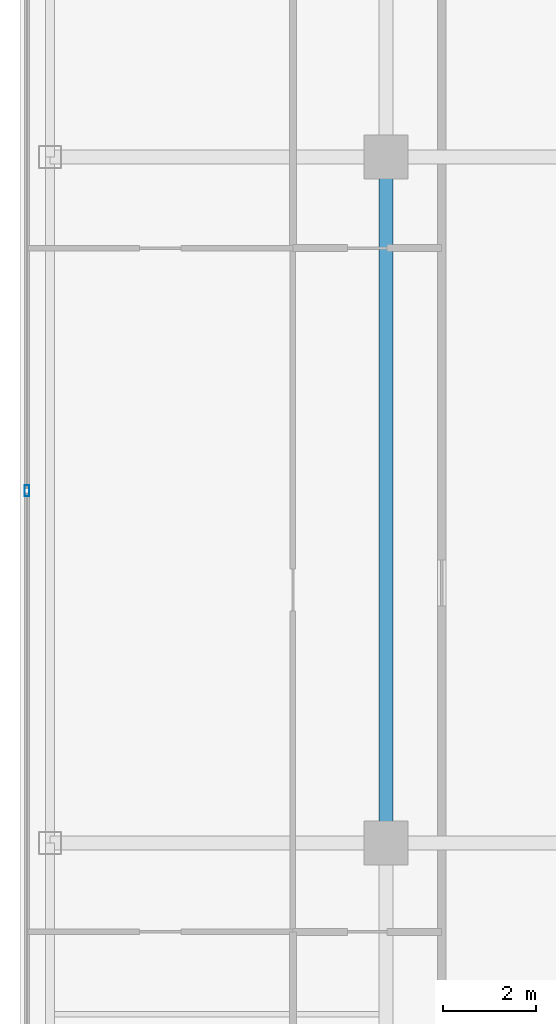
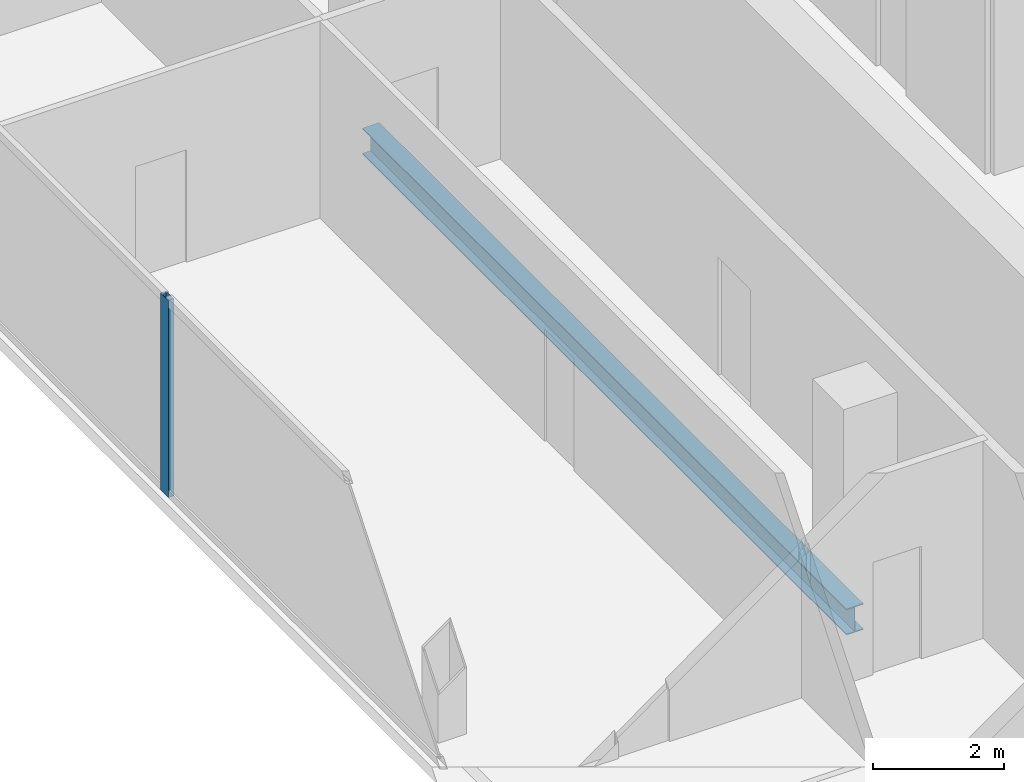
# One storey, part 6 of 24: 1 beam, 1 member, 1 element without a shape of its own.
"""IFC4 building model written with IfcOpenShell, lengths in metres."""

from ifc_helpers import new_model, si_unit, direction, frame, origin, origin_2d, place, context, subcontext, project, spatial, hollow_rectangle, i_section, extrude, material, layer, layer_set, material_profile, profile_set, type_object, element, aggregate, save


model = new_model("IFC4")

# Units and contexts
model_context = context("Model", 3, precision=1e-05, world=origin(), true_north=direction((0.0, 1.0)))
body_context = subcontext(model_context, "Body", "Model", "MODEL_VIEW")
ifc_project = project(units=[si_unit("LENGTHUNIT", "METRE"), si_unit("AREAUNIT", "SQUARE_METRE"), si_unit("VOLUMEUNIT", "CUBIC_METRE"), si_unit("PLANEANGLEUNIT", "RADIAN"), si_unit("MASSUNIT", "GRAM", prefix="KILO")], contexts=[model_context])

# Site, building, storey
site_placement = place(None, origin())
site = spatial("IfcSite", under=ifc_project, at=site_placement, CompositionType="ELEMENT")
building_placement = place(site_placement, origin())
building = spatial("IfcBuilding", under=site, at=building_placement, Name="Khorvyn Point Tower", CompositionType="ELEMENT")
storey_placement = place(building_placement, frame((0.0, 0.0, 301.5)))
storey = spatial("IfcBuildingStorey", under=building, at=storey_placement, Name="L74", CompositionType="ELEMENT", Elevation=301.5)

# Curtain wall, member
ifc_material_1 = material(Name="Anodised aluminium 6063-T6 and laminated Low-E glass", Category="aluminium")
ifc_layer = layer(ifc_material_1, 0.18994140625)
ifc_layer_set = layer_set([ifc_layer], Name="Stick-Built High-Wind Curtain Wall CW-SYS-04")
curtain_wall_type = type_object("IfcCurtainWallType", Name="Stick-Built High-Wind Curtain Wall CW-SYS-04", PredefinedType="NOTDEFINED", material=ifc_layer_set)
curtain_wall_placement = place(storey_placement, origin())
curtain_wall = element("IfcCurtainWall", 1, at=curtain_wall_placement, inside=storey, type_object=curtain_wall_type, Name="Curtain Wall", PredefinedType="NOTDEFINED")
ifc_material_2 = material(Name="Anodised aluminium 6063-T6", Category="aluminium")
ifc_material_profile_1 = material_profile(ifc_material_2, hollow_rectangle(XDim=0.10009765625, YDim=0.239990234375, WallThickness=0.0048828125, at=origin_2d()))
ifc_profile_set_1 = profile_set([ifc_material_profile_1], Name="Anodised aluminium 6063-T6 ALU-MUL-100x240")
member_type = type_object("IfcMemberType", Name="Anodised Aluminium 6063-T6 Mullion ALU-MUL-100x240", PredefinedType="MULLION", material=ifc_profile_set_1)
member_placement = place(storey_placement, frame((-22.550048828125, 0.199951171875, 0.0), z_axis=(0.0, 0.0, 1.0), x_axis=(-1.0, 0.0, 0.0)))
member = element("IfcMember", 2, at=member_placement, type_object=member_type, Name="Transom", PredefinedType="MULLION", context=body_context, shape_type="SweptSolid", body=[
    extrude(hollow_rectangle(XDim=0.10009765625, YDim=0.239990234375, WallThickness=0.0048828125, at=origin_2d()), origin(), (0.0, 0.0, 1.0), 3.679931640625),
])
aggregate(curtain_wall, [member])

# Beam
ifc_material_3 = material(Name="Steel S355", Category="steel")
ifc_material_profile_2 = material_profile(ifc_material_3, i_section(OverallWidth=0.300048828125, OverallDepth=0.488037109375, WebThickness=0.010986328125, FlangeThickness=0.01806640625, at=origin_2d()))
ifc_profile_set_2 = profile_set([ifc_material_profile_2], Name="Steel S355 H488x300x11x18")
beam_type = type_object("IfcBeamType", Name="Steel S355 Spandrel H488x300x11x18", PredefinedType="SPANDREL", material=ifc_profile_set_2)
beam_placement = place(storey_placement, frame((-14.800048828125, -7.39990234375, -0.464111328125), z_axis=(0.0, 1.0, 0.0), x_axis=(-1.0, 0.0, 0.0)))
element("IfcBeam", 3, at=beam_placement, inside=storey, type_object=beam_type, Name="Beam", PredefinedType="SPANDREL", context=body_context, shape_type="SweptSolid", body=[
    extrude(i_section(OverallWidth=0.300048828125, OverallDepth=0.488037109375, WebThickness=0.010986328125, FlangeThickness=0.01806640625, at=origin_2d()), origin(), (0.0, 0.0, 1.0), 14.7998046875),
])

save(model, "model.ifc")
